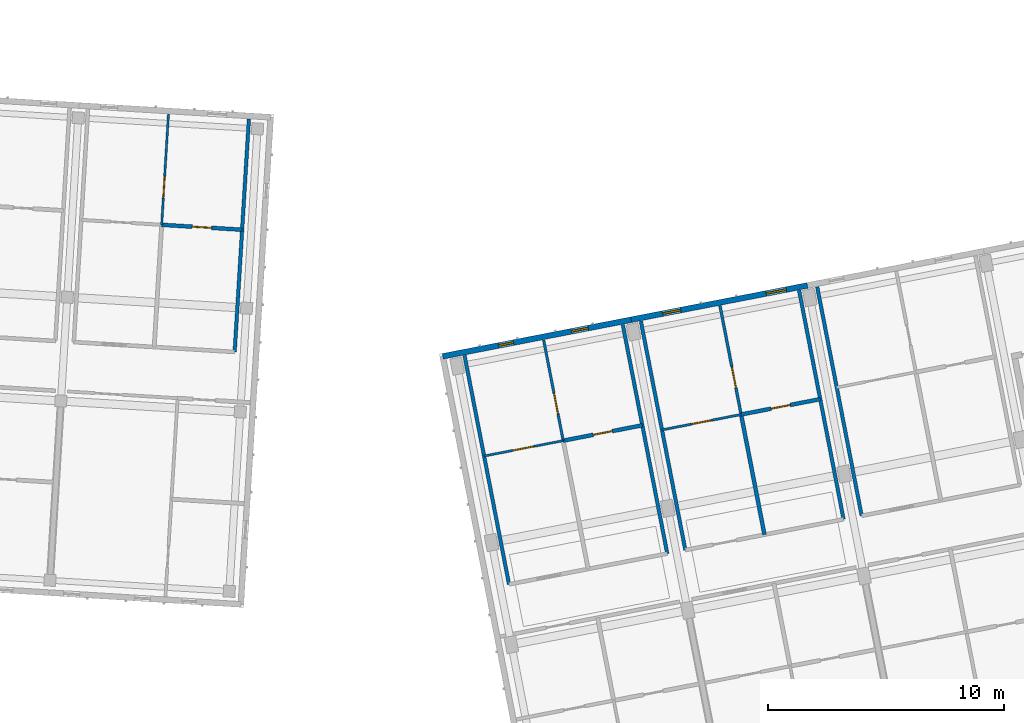
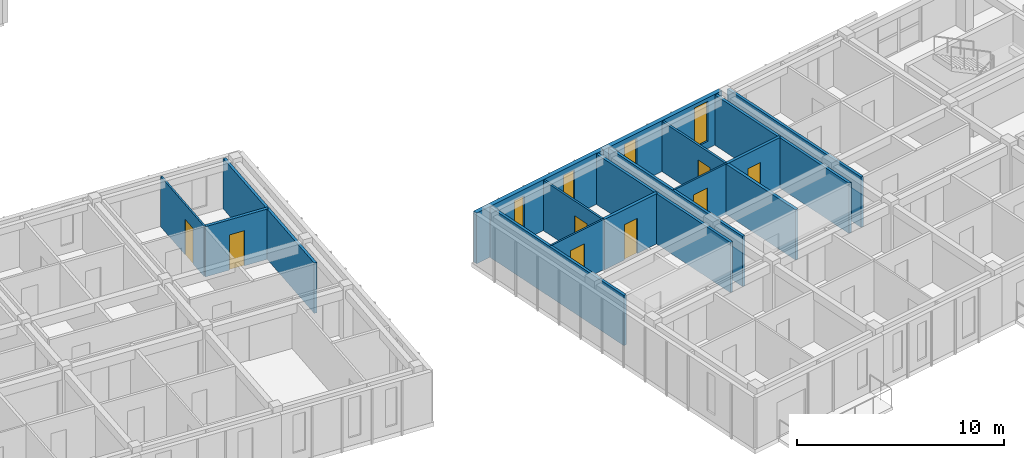
# One storey, part 78 of 127: 17 walls, 8 doors, 4 windows, 12 openings.
"""IFC4 building model written with IfcOpenShell, lengths in metres."""

from ifc_helpers import new_model, si_unit, direction, frame, frame_2d, origin, place, context, subcontext, project, spatial, rectangle, extrude, material, layer, layer_set, type_object, element, fill, save


model = new_model("IFC4")

# Units and contexts
model_context = context("Model", 3, precision=1e-05, world=origin(), true_north=direction((0.0, 1.0)))
body_context = subcontext(model_context, "Body", "Model", "MODEL_VIEW")
ifc_project = project(units=[si_unit("LENGTHUNIT", "METRE"), si_unit("AREAUNIT", "SQUARE_METRE"), si_unit("VOLUMEUNIT", "CUBIC_METRE"), si_unit("PLANEANGLEUNIT", "RADIAN"), si_unit("MASSUNIT", "GRAM", prefix="KILO")], contexts=[model_context])

# Site, building, storey
site_placement = place(None, origin())
site = spatial("IfcSite", under=ifc_project, at=site_placement, CompositionType="ELEMENT")
building_placement = place(site_placement, origin())
building = spatial("IfcBuilding", under=site, at=building_placement, Name="Kestramere Prow Commons", CompositionType="ELEMENT")
storey_placement = place(building_placement, frame((0.0, 0.0, 8.39990234375)))
storey = spatial("IfcBuildingStorey", under=building, at=storey_placement, Name="L02", CompositionType="ELEMENT", Elevation=8.39990234375)

# Wall, openings, windows
ifc_material_1 = material(Name="Fluoropolymer Standing-Seam Zinc-Aluminium Cladding", Category="aluminium")
ifc_layer_1 = layer(ifc_material_1, 0.239990234375)
ifc_layer_set_1 = layer_set([ifc_layer_1], Name="Fluoropolymer Standing-Seam Zinc-Aluminium Cladding")
wall_type_1 = type_object("IfcWallType", Name="EW-SEAM-240", PredefinedType="SOLIDWALL", material=ifc_layer_set_1)
wall_1_placement = place(storey_placement, frame((114.044677734375, 53.655029296875, 0.0), z_axis=(0.0, 0.0, 1.0), x_axis=(0.981627273155, 0.190808533872, 0.0)))
wall_1 = element("IfcWall", 1, at=wall_1_placement, inside=storey, type_object=wall_type_1, Name="Block D L02 North Standing-Seam Wall 1", PredefinedType="SOLIDWALL", context=body_context, shape_type="SweptSolid", body=[
    extrude(rectangle(XDim=8.124755859375, YDim=0.239990234375, at=frame_2d((4.0625, 0.0))), origin(), (0.0, 0.0, 1.0), 3.0),
])
opening_1_placement = place(wall_1_placement, frame((2.410400390625, 0.0, 0.43994140625)))
opening_1 = element("IfcOpeningElement", 2, at=opening_1_placement, cuts=wall_1, Name="Opening WN-04", PredefinedType="OPENING", context=body_context, shape_type="SweptSolid", body=[
    extrude(rectangle(XDim=0.639892578125, YDim=2.179931640625, at=frame_2d((0.31982421875, 1.08984375))), frame((0.0, 0.135009765625, 0.0), z_axis=(0.0, -1.0, 0.0), x_axis=(1.0, 0.0, 0.0)), (0.0, 0.0, 1.0), 0.27001953125),
])
opening_2_placement = place(wall_1_placement, frame((5.550537109375, 0.0, 0.5)))
opening_2 = element("IfcOpeningElement", 3, at=opening_2_placement, cuts=wall_1, Name="Opening WN-08", PredefinedType="OPENING", context=body_context, shape_type="SweptSolid", body=[
    extrude(rectangle(XDim=0.719970703125, YDim=2.159912109375, at=frame_2d((0.35986328125, 1.080078125))), frame((0.0, 0.135009765625, 0.0), z_axis=(0.0, -1.0, 0.0), x_axis=(1.0, 0.0, 0.0)), (0.0, 0.0, 1.0), 0.27001953125),
])
ifc_material_2 = material(Name="Low-E Laminated Double Glazing", Category="glass")
window_type_1 = type_object("IfcWindowType", Name="WN-NAR-640A", PartitioningType="SINGLE_PANEL", PredefinedType="WINDOW", material=ifc_material_2)
window_1_placement = place(opening_1_placement, origin())
window_1 = element("IfcWindow", 4, at=window_1_placement, inside=storey, type_object=window_type_1, Name="WN-D-L02-N-0-0", OverallHeight=2.179931640625, OverallWidth=0.639892578125, PartitioningType="SINGLE_PANEL", PredefinedType="WINDOW", context=body_context, shape_type="SweptSolid", body=[
    extrude(rectangle(XDim=0.639892578125, YDim=2.179931640625, at=frame_2d((0.31982421875, 1.08984375))), frame((0.0, 0.030029296875, 0.0), z_axis=(0.0, -1.0, 0.0), x_axis=(1.0, 0.0, 0.0)), (0.0, 0.0, 1.0), 0.06005859375),
])
fill(opening_1, window_1)
window_type_2 = type_object("IfcWindowType", Name="WN-NAR-720A", PartitioningType="SINGLE_PANEL", PredefinedType="WINDOW", material=ifc_material_2)
window_2_placement = place(opening_2_placement, origin())
window_2 = element("IfcWindow", 5, at=window_2_placement, inside=storey, type_object=window_type_2, Name="WN-D-L02-N-0-1", OverallHeight=2.159912109375, OverallWidth=0.719970703125, PartitioningType="SINGLE_PANEL", PredefinedType="WINDOW", context=body_context, shape_type="SweptSolid", body=[
    extrude(rectangle(XDim=0.719970703125, YDim=2.159912109375, at=frame_2d((0.35986328125, 1.080078125))), frame((0.0, 0.030029296875, 0.0), z_axis=(0.0, -1.0, 0.0), x_axis=(1.0, 0.0, 0.0)), (0.0, 0.0, 1.0), 0.06005859375),
])
fill(opening_2, window_2)

wall_2_placement = place(storey_placement, frame((122.020263671875, 55.205322265625, 0.0), z_axis=(0.0, 0.0, 1.0), x_axis=(0.981626422232, 0.190812911449, 0.0)))
wall_2 = element("IfcWall", 6, at=wall_2_placement, inside=storey, type_object=wall_type_1, Name="Block D L02 North Standing-Seam Wall 2", PredefinedType="SOLIDWALL", context=body_context, shape_type="SweptSolid", body=[
    extrude(rectangle(XDim=7.60009765625, YDim=0.239990234375, at=frame_2d((3.800048828125, 0.0))), origin(), (0.0, 0.0, 1.0), 3.0),
])
opening_3_placement = place(wall_2_placement, frame((1.35400390625, 0.0, 0.5)))
opening_3 = element("IfcOpeningElement", 7, at=opening_3_placement, cuts=wall_2, Name="Opening WN-11", PredefinedType="OPENING", context=body_context, shape_type="SweptSolid", body=[
    extrude(rectangle(XDim=0.780029296875, YDim=2.199951171875, at=frame_2d((0.39013671875, 1.10009765625))), frame((0.0, 0.135009765625, 0.0), z_axis=(0.0, -1.0, 0.0), x_axis=(1.0, 0.0, 0.0)), (0.0, 0.0, 1.0), 0.27001953125),
])
opening_4_placement = place(wall_2_placement, frame((5.82568359375, 0.0, 0.43994140625)))
opening_4 = element("IfcOpeningElement", 8, at=opening_4_placement, cuts=wall_2, Name="Opening WN-15", PredefinedType="OPENING", context=body_context, shape_type="SweptSolid", body=[
    extrude(rectangle(XDim=0.860107421875, YDim=2.360107421875, at=frame_2d((0.43017578125, 1.18017578125))), frame((0.0, 0.135009765625, 0.0), z_axis=(0.0, -1.0, 0.0), x_axis=(1.0, 0.0, 0.0)), (0.0, 0.0, 1.0), 0.27001953125),
])
window_type_3 = type_object("IfcWindowType", Name="WN-NAR-780A", PartitioningType="SINGLE_PANEL", PredefinedType="WINDOW", material=ifc_material_2)
window_3_placement = place(opening_3_placement, origin())
window_3 = element("IfcWindow", 9, at=window_3_placement, inside=storey, type_object=window_type_3, Name="WN-D-L02-N-1-0", OverallHeight=2.199951171875, OverallWidth=0.780029296875, PartitioningType="SINGLE_PANEL", PredefinedType="WINDOW", context=body_context, shape_type="SweptSolid", body=[
    extrude(rectangle(XDim=0.780029296875, YDim=2.199951171875, at=frame_2d((0.39013671875, 1.10009765625))), frame((0.0, 0.030029296875, 0.0), z_axis=(0.0, -1.0, 0.0), x_axis=(1.0, 0.0, 0.0)), (0.0, 0.0, 1.0), 0.06005859375),
])
fill(opening_3, window_3)
window_type_4 = type_object("IfcWindowType", Name="WN-NAR-860A", PartitioningType="DOUBLE_PANEL_VERTICAL", PredefinedType="WINDOW", material=ifc_material_2)
window_4_placement = place(opening_4_placement, origin())
window_4 = element("IfcWindow", 10, at=window_4_placement, inside=storey, type_object=window_type_4, Name="WN-D-L02-N-1-1", OverallHeight=2.360107421875, OverallWidth=0.860107421875, PartitioningType="SINGLE_PANEL", PredefinedType="WINDOW", context=body_context, shape_type="SweptSolid", body=[
    extrude(rectangle(XDim=0.860107421875, YDim=2.360107421875, at=frame_2d((0.43017578125, 1.18017578125))), frame((0.0, 0.030029296875, 0.0), z_axis=(0.0, -1.0, 0.0), x_axis=(1.0, 0.0, 0.0)), (0.0, 0.0, 1.0), 0.06005859375),
])
fill(opening_4, window_4)

# Wall, opening, door
ifc_material_3 = material(Name="Gypsum Acoustic Drywall")
ifc_layer_2 = layer(ifc_material_3, 0.10009765625)
ifc_layer_set_2 = layer_set([ifc_layer_2], Name="Gypsum Acoustic Drywall")
wall_type_2 = type_object("IfcWallType", Name="W-PART-100", PredefinedType="PARTITIONING", material=ifc_layer_set_2)
wall_3_placement = place(storey_placement, frame((123.32373046875, 50.54345703125, 0.0), z_axis=(0.0, 0.0, 1.0), x_axis=(0.981629173664, 0.190798756314, 0.0)))
wall_3 = element("IfcWall", 11, at=wall_3_placement, inside=storey, type_object=wall_type_2, Name="Interior Partition PW-D-L02-MIDN1-1", PredefinedType="PARTITIONING", context=body_context, shape_type="SweptSolid", body=[
    extrude(rectangle(XDim=3.41015625, YDim=0.10009765625, at=frame_2d((1.705078125, 0.0))), origin(), (0.0, 0.0, 1.0), 2.97021484375),
])
opening_5_placement = place(wall_3_placement, frame((1.2548828125, 0.0, 0.0)))
opening_5 = element("IfcOpeningElement", 12, at=opening_5_placement, cuts=wall_3, Name="Opening ID-10", PredefinedType="OPENING", context=body_context, shape_type="SweptSolid", body=[
    extrude(rectangle(XDim=0.8798828125, YDim=2.10009765625, at=frame_2d((0.43994140625, 1.050048828125))), frame((0.0, 0.06494140625, 0.0), z_axis=(0.0, -1.0, 0.0), x_axis=(1.0, 0.0, 0.0)), (0.0, 0.0, 1.0), 0.130126953125),
])
ifc_material_4 = material(Name="Engineered Timber Bedroom Door", Category="wood")
door_type_1 = type_object("IfcDoorType", Name="D-RM-03", OperationType="NOTDEFINED", PredefinedType="DOOR", material=ifc_material_4)
door_1_placement = place(opening_5_placement, origin())
door_1 = element("IfcDoor", 13, at=door_1_placement, inside=storey, type_object=door_type_1, Name="Interior Door DR-D-L02-KL-N1", OperationType="SINGLE_SWING_LEFT", OverallHeight=2.10009765625, OverallWidth=0.8798828125, PredefinedType="DOOR", context=body_context, shape_type="SweptSolid", body=[
    extrude(rectangle(XDim=0.8798828125, YDim=2.10009765625, at=frame_2d((0.43994140625, 1.050048828125))), frame((0.0, 0.02490234375, 0.0), z_axis=(0.0, -1.0, 0.0), x_axis=(1.0, 0.0, 0.0)), (0.0, 0.0, 1.0), 0.050048828125),
])
fill(opening_5, door_1)

ifc_layer_3 = layer(ifc_material_3, 0.110107421875)
ifc_layer_set_3 = layer_set([ifc_layer_3], Name="Gypsum Acoustic Drywall")
wall_type_3 = type_object("IfcWallType", Name="W-PART-110", PredefinedType="PARTITIONING", material=ifc_layer_set_3)
wall_4_placement = place(storey_placement, frame((119.14404296875, 50.087646484375, 0.0), z_axis=(0.0, 0.0, 1.0), x_axis=(-0.190812443151, 0.981626513262, 0.0)))
wall_4 = element("IfcWall", 14, at=wall_4_placement, inside=storey, type_object=wall_type_3, Name="Interior Partition PW-D-L02-LB-N0", PredefinedType="PARTITIONING", context=body_context, shape_type="SweptSolid", body=[
    extrude(rectangle(XDim=4.340087890625, YDim=0.110107421875, at=frame_2d((2.169921875, 0.0))), origin(), (0.0, 0.0, 1.0), 2.97021484375),
])
opening_6_placement = place(wall_4_placement, frame((1.14990234375, 0.0, 0.0)))
opening_6 = element("IfcOpeningElement", 15, at=opening_6_placement, cuts=wall_4, Name="Opening ID-08", PredefinedType="OPENING", context=body_context, shape_type="SweptSolid", body=[
    extrude(rectangle(XDim=0.89990234375, YDim=2.10009765625, at=frame_2d((0.449951171875, 1.050048828125))), frame((0.0, 0.070068359375, 0.0), z_axis=(0.0, -1.0, 0.0), x_axis=(1.0, 0.0, 0.0)), (0.0, 0.0, 1.0), 0.14013671875),
])
ifc_material_5 = material(Name="Engineered Timber Flush Door", Category="wood")
door_type_2 = type_object("IfcDoorType", Name="D-RM-01", OperationType="NOTDEFINED", PredefinedType="DOOR", material=ifc_material_5)
door_2_placement = place(opening_6_placement, origin())
door_2 = element("IfcDoor", 16, at=door_2_placement, inside=storey, type_object=door_type_2, Name="Interior Door DR-D-L02-BED-N0", OperationType="SINGLE_SWING_LEFT", OverallHeight=2.10009765625, OverallWidth=0.89990234375, PredefinedType="DOOR", context=body_context, shape_type="SweptSolid", body=[
    extrude(rectangle(XDim=0.89990234375, YDim=2.10009765625, at=frame_2d((0.449951171875, 1.050048828125))), frame((0.0, 0.02490234375, 0.0), z_axis=(0.0, -1.0, 0.0), x_axis=(1.0, 0.0, 0.0)), (0.0, 0.0, 1.0), 0.050048828125),
])
fill(opening_6, door_2)

ifc_material_6 = material(Name="Lightweight Blockwork and Plaster", Category="masonry")
ifc_layer_4 = layer(ifc_material_6, 0.1201171875)
ifc_layer_set_4 = layer_set([ifc_layer_4], Name="Lightweight Blockwork and Plaster")
wall_type_4 = type_object("IfcWallType", Name="W-PART-120", PredefinedType="PARTITIONING", material=ifc_layer_set_4)
wall_5_placement = place(storey_placement, frame((126.671142578125, 51.194091796875, 0.0), z_axis=(0.0, 0.0, 1.0), x_axis=(-0.190787451574, 0.981631370893, 0.0)))
wall_5 = element("IfcWall", 17, at=wall_5_placement, inside=storey, type_object=wall_type_4, Name="Interior Partition PW-D-L02-LB-N1", PredefinedType="PARTITIONING", context=body_context, shape_type="SweptSolid", body=[
    extrude(rectangle(XDim=4.68994140625, YDim=0.1201171875, at=frame_2d((2.344970703125, 0.0))), origin(), (0.0, 0.0, 1.0), 2.97021484375),
])
opening_7_placement = place(wall_5_placement, frame((1.14990234375, 0.0, 0.0)))
opening_7 = element("IfcOpeningElement", 18, at=opening_7_placement, cuts=wall_5, Name="Opening ID-08", PredefinedType="OPENING", context=body_context, shape_type="SweptSolid", body=[
    extrude(rectangle(XDim=0.89990234375, YDim=2.10009765625, at=frame_2d((0.449951171875, 1.050048828125))), frame((0.0, 0.074951171875, 0.0), z_axis=(0.0, -1.0, 0.0), x_axis=(1.0, 0.0, 0.0)), (0.0, 0.0, 1.0), 0.150146484375),
])
door_3_placement = place(opening_7_placement, origin())
door_3 = element("IfcDoor", 19, at=door_3_placement, inside=storey, type_object=door_type_2, Name="Interior Door DR-D-L02-BED-N1", OperationType="SINGLE_SWING_LEFT", OverallHeight=2.10009765625, OverallWidth=0.89990234375, PredefinedType="DOOR", context=body_context, shape_type="SweptSolid", body=[
    extrude(rectangle(XDim=0.89990234375, YDim=2.10009765625, at=frame_2d((0.449951171875, 1.050048828125))), frame((0.0, 0.02490234375, 0.0), z_axis=(0.0, -1.0, 0.0), x_axis=(1.0, 0.0, 0.0)), (0.0, 0.0, 1.0), 0.050048828125),
])
fill(opening_7, door_3)

# Walls
ifc_material_7 = material(Name="Masonry Compartment Wall", Category="masonry")
ifc_layer_5 = layer(ifc_material_7, 0.14990234375)
ifc_layer_set_5 = layer_set([ifc_layer_5], Name="Masonry Compartment Wall")
wall_type_5 = type_object("IfcWallType", Name="W-PART-150", PredefinedType="PARTITIONING", material=ifc_layer_set_5)
for number, where, z_axis, x_axis, name in (
    (20, (105.243408203125, 53.841064453125, 0.0), (0.0, 0.0, 1.0), (0.061047700465, 0.998134849741, 0.0), "Interior Partition PW-C-L02-NWR-5"),
    (21, (116.851806640625, 44.008544921875, 0.0), (0.0, 0.0, 1.0), (-0.190814044018, 0.981626202078, 0.0), "Interior Partition PW-D-L02-NWL-0"),
):
    element("IfcWall", number, at=place(storey_placement, frame(where, z_axis=z_axis, x_axis=x_axis)), inside=storey, type_object=wall_type_5, Name=name, PredefinedType="PARTITIONING", context=body_context, shape_type="SweptSolid", body=[
        extrude(rectangle(XDim=9.869873046875, YDim=0.14990234375, at=frame_2d((4.93505859375, 0.0))), origin(), (0.0, 0.0, 1.0), 2.97021484375),
    ])
wall_6_placement = place(storey_placement, frame((123.546630859375, 45.309814453125, 0.0), z_axis=(0.0, 0.0, 1.0), x_axis=(-0.190809410863, 0.981627102685, 0.0)))
element("IfcWall", 22, at=wall_6_placement, inside=storey, type_object=wall_type_5, Name="Interior Partition PW-D-L02-NWR-0", PredefinedType="PARTITIONING", context=body_context, shape_type="SweptSolid", body=[
    extrude(rectangle(XDim=9.8701171875, YDim=0.14990234375, at=frame_2d((4.93505859375, 0.0))), origin(), (0.0, 0.0, 1.0), 2.97021484375),
])
wall_7_placement = place(storey_placement, frame((124.312255859375, 45.458740234375, 0.0), z_axis=(0.0, 0.0, 1.0), x_axis=(-0.190814044018, 0.981626202078, 0.0)))
element("IfcWall", 23, at=wall_7_placement, inside=storey, type_object=wall_type_5, Name="Interior Partition PW-D-L02-NWL-1", PredefinedType="PARTITIONING", context=body_context, shape_type="SweptSolid", body=[
    extrude(rectangle(XDim=9.869873046875, YDim=0.14990234375, at=frame_2d((4.93505859375, 0.0))), origin(), (0.0, 0.0, 1.0), 2.97021484375),
])
for number, where, z_axis, x_axis, name in (
    (24, (131.0068359375, 46.760009765625, 0.0), (0.0, 0.0, 1.0), (-0.190809410863, 0.981627102685, 0.0), "Interior Partition PW-D-L02-NWR-1"),
    (25, (131.7724609375, 46.90869140625, 0.0), (0.0, 0.0, 1.0), (-0.1907855758, 0.981631735462, 0.0), "Interior Partition PW-D-L02-NWL-2"),
):
    element("IfcWall", number, at=place(storey_placement, frame(where, z_axis=z_axis, x_axis=x_axis)), inside=storey, type_object=wall_type_5, Name=name, PredefinedType="PARTITIONING", context=body_context, shape_type="SweptSolid", body=[
        extrude(rectangle(XDim=9.8701171875, YDim=0.14990234375, at=frame_2d((4.93505859375, 0.0))), origin(), (0.0, 0.0, 1.0), 2.97021484375),
    ])

# Wall, opening, door
ifc_layer_6 = layer(ifc_material_3, 0.094970703125)
ifc_layer_set_6 = layer_set([ifc_layer_6], Name="Gypsum Acoustic Drywall")
wall_type_6 = type_object("IfcWallType", Name="W-PART-95", PredefinedType="PARTITIONING", material=ifc_layer_set_6)
wall_8_placement = place(storey_placement, frame((102.156005859375, 59.2197265625, 0.0), z_axis=(0.0, 0.0, 1.0), x_axis=(0.061062434628, 0.998133948465, 0.0)))
wall_8 = element("IfcWall", 26, at=wall_8_placement, inside=storey, type_object=wall_type_6, Name="Interior Partition PW-C-L02-LB-N5", PredefinedType="PARTITIONING", context=body_context, shape_type="SweptSolid", body=[
    extrude(rectangle(XDim=4.68994140625, YDim=0.094970703125, at=frame_2d((2.344970703125, 0.0))), origin(), (0.0, 0.0, 1.0), 2.97021484375),
])
opening_8_placement = place(wall_8_placement, frame((1.14990234375, 0.0, 0.0)))
opening_8 = element("IfcOpeningElement", 27, at=opening_8_placement, cuts=wall_8, Name="Opening ID-08", PredefinedType="OPENING", context=body_context, shape_type="SweptSolid", body=[
    extrude(rectangle(XDim=0.89990234375, YDim=2.10009765625, at=frame_2d((0.449951171875, 1.050048828125))), frame((0.0, 0.0625, 0.0), z_axis=(0.0, -1.0, 0.0), x_axis=(1.0, 0.0, 0.0)), (0.0, 0.0, 1.0), 0.125),
])
door_4_placement = place(opening_8_placement, origin())
door_4 = element("IfcDoor", 28, at=door_4_placement, inside=storey, type_object=door_type_2, Name="Interior Door DR-C-L02-BED-N5", OperationType="SINGLE_SWING_LEFT", OverallHeight=2.10009765625, OverallWidth=0.89990234375, PredefinedType="DOOR", context=body_context, shape_type="SweptSolid", body=[
    extrude(rectangle(XDim=0.89990234375, YDim=2.10009765625, at=frame_2d((0.449951171875, 1.050048828125))), frame((0.0, 0.02490234375, 0.0), z_axis=(0.0, -1.0, 0.0), x_axis=(1.0, 0.0, 0.0)), (0.0, 0.0, 1.0), 0.050048828125),
])
fill(opening_8, door_4)

wall_9_placement = place(storey_placement, frame((115.796630859375, 49.436767578125, 0.0), z_axis=(0.0, 0.0, 1.0), x_axis=(0.981615762271, 0.19086774285, 0.0)))
wall_9 = element("IfcWall", 29, at=wall_9_placement, inside=storey, type_object=wall_type_6, Name="Interior Partition PW-D-L02-MIDN1-0", PredefinedType="PARTITIONING", context=body_context, shape_type="SweptSolid", body=[
    extrude(rectangle(XDim=3.41015625, YDim=0.094970703125, at=frame_2d((1.705078125, 0.0))), origin(), (0.0, 0.0, 1.0), 2.97021484375),
])
opening_9_placement = place(wall_9_placement, frame((1.2548828125, 0.0, 0.0)))
opening_9 = element("IfcOpeningElement", 30, at=opening_9_placement, cuts=wall_9, Name="Opening ID-08", PredefinedType="OPENING", context=body_context, shape_type="SweptSolid", body=[
    extrude(rectangle(XDim=0.89990234375, YDim=2.10009765625, at=frame_2d((0.449951171875, 1.050048828125))), frame((0.0, 0.0625, 0.0), z_axis=(0.0, -1.0, 0.0), x_axis=(1.0, 0.0, 0.0)), (0.0, 0.0, 1.0), 0.125),
])
door_5_placement = place(opening_9_placement, origin())
door_5 = element("IfcDoor", 31, at=door_5_placement, inside=storey, type_object=door_type_2, Name="Interior Door DR-D-L02-KL-N0", OperationType="SINGLE_SWING_LEFT", OverallHeight=2.10009765625, OverallWidth=0.89990234375, PredefinedType="DOOR", context=body_context, shape_type="SweptSolid", body=[
    extrude(rectangle(XDim=0.89990234375, YDim=2.10009765625, at=frame_2d((0.449951171875, 1.050048828125))), frame((0.0, 0.02490234375, 0.0), z_axis=(0.0, -1.0, 0.0), x_axis=(1.0, 0.0, 0.0)), (0.0, 0.0, 1.0), 0.050048828125),
])
fill(opening_9, door_5)

ifc_material_8 = material(Name="Waterproof Sanitary Masonry Wall", Category="masonry")
ifc_layer_7 = layer(ifc_material_8, 0.1650390625)
ifc_layer_set_7 = layer_set([ifc_layer_7], Name="Waterproof Sanitary Masonry Wall")
wall_type_7 = type_object("IfcWallType", Name="W-PLUMB-150", PredefinedType="PLUMBINGWALL", material=ifc_layer_set_7)
wall_10_placement = place(storey_placement, frame((102.156005859375, 59.2197265625, 0.0), z_axis=(0.0, 0.0, 1.0), x_axis=(0.998133617109, -0.061067850767, 0.0)))
wall_10 = element("IfcWall", 32, at=wall_10_placement, inside=storey, type_object=wall_type_7, Name="Interior Partition PW-C-L02-MIDN2-5", PredefinedType="PLUMBINGWALL", context=body_context, shape_type="SweptSolid", body=[
    extrude(rectangle(XDim=3.41015625, YDim=0.1650390625, at=frame_2d((1.705078125, 0.0))), origin(), (0.0, 0.0, 1.0), 2.97021484375),
])
opening_10_placement = place(wall_10_placement, frame((1.294921875, 0.0, 0.0)))
opening_10 = element("IfcOpeningElement", 33, at=opening_10_placement, cuts=wall_10, Name="Opening ID-11", PredefinedType="OPENING", context=body_context, shape_type="SweptSolid", body=[
    extrude(rectangle(XDim=0.820068359375, YDim=2.080078125, at=frame_2d((0.41015625, 1.0400390625))), frame((0.0, 0.097412109375, 0.0), z_axis=(0.0, -1.0, 0.0), x_axis=(1.0, 0.0, 0.0)), (0.0, 0.0, 1.0), 0.195068359375),
])
ifc_material_9 = material(Name="Moisture-Resistant Timber Bathroom Door", Category="wood")
door_type_3 = type_object("IfcDoorType", Name="D-BT-01", OperationType="NOTDEFINED", PredefinedType="DOOR", material=ifc_material_9)
door_6_placement = place(opening_10_placement, origin())
door_6 = element("IfcDoor", 34, at=door_6_placement, inside=storey, type_object=door_type_3, Name="Interior Door DR-C-L02-BTH-N5", OperationType="SINGLE_SWING_RIGHT", OverallHeight=2.080078125, OverallWidth=0.820068359375, PredefinedType="DOOR", context=body_context, shape_type="SweptSolid", body=[
    extrude(rectangle(XDim=0.820068359375, YDim=2.080078125, at=frame_2d((0.41015625, 1.0400390625))), frame((0.0, 0.02490234375, 0.0), z_axis=(0.0, -1.0, 0.0), x_axis=(1.0, 0.0, 0.0)), (0.0, 0.0, 1.0), 0.050048828125),
])
fill(opening_10, door_6)

wall_11_placement = place(storey_placement, frame((119.14404296875, 50.087646484375, 0.0), z_axis=(0.0, 0.0, 1.0), x_axis=(0.981629173664, 0.190798756314, 0.0)))
wall_11 = element("IfcWall", 35, at=wall_11_placement, inside=storey, type_object=wall_type_7, Name="Interior Partition PW-D-L02-MIDN2-0", PredefinedType="PLUMBINGWALL", context=body_context, shape_type="SweptSolid", body=[
    extrude(rectangle(XDim=3.41015625, YDim=0.1650390625, at=frame_2d((1.705078125, 0.0))), origin(), (0.0, 0.0, 1.0), 2.97021484375),
])
opening_11_placement = place(wall_11_placement, frame((1.294921875, 0.0, 0.0)))
opening_11 = element("IfcOpeningElement", 36, at=opening_11_placement, cuts=wall_11, Name="Opening ID-11", PredefinedType="OPENING", context=body_context, shape_type="SweptSolid", body=[
    extrude(rectangle(XDim=0.820068359375, YDim=2.080078125, at=frame_2d((0.41015625, 1.0400390625))), frame((0.0, 0.097412109375, 0.0), z_axis=(0.0, -1.0, 0.0), x_axis=(1.0, 0.0, 0.0)), (0.0, 0.0, 1.0), 0.195068359375),
])
door_7_placement = place(opening_11_placement, origin())
door_7 = element("IfcDoor", 37, at=door_7_placement, inside=storey, type_object=door_type_3, Name="Interior Door DR-D-L02-BTH-N0", OperationType="SINGLE_SWING_RIGHT", OverallHeight=2.080078125, OverallWidth=0.820068359375, PredefinedType="DOOR", context=body_context, shape_type="SweptSolid", body=[
    extrude(rectangle(XDim=0.820068359375, YDim=2.080078125, at=frame_2d((0.41015625, 1.0400390625))), frame((0.0, 0.02490234375, 0.0), z_axis=(0.0, -1.0, 0.0), x_axis=(1.0, 0.0, 0.0)), (0.0, 0.0, 1.0), 0.050048828125),
])
fill(opening_11, door_7)

wall_12_placement = place(storey_placement, frame((126.671142578125, 51.194091796875, 0.0), z_axis=(0.0, 0.0, 1.0), x_axis=(0.981629173664, 0.190798756314, 0.0)))
wall_12 = element("IfcWall", 38, at=wall_12_placement, inside=storey, type_object=wall_type_7, Name="Interior Partition PW-D-L02-MIDN2-1", PredefinedType="PLUMBINGWALL", context=body_context, shape_type="SweptSolid", body=[
    extrude(rectangle(XDim=3.41015625, YDim=0.1650390625, at=frame_2d((1.705078125, 0.0))), origin(), (0.0, 0.0, 1.0), 2.97021484375),
])
opening_12_placement = place(wall_12_placement, frame((1.294921875, 0.0, 0.0)))
opening_12 = element("IfcOpeningElement", 39, at=opening_12_placement, cuts=wall_12, Name="Opening ID-11", PredefinedType="OPENING", context=body_context, shape_type="SweptSolid", body=[
    extrude(rectangle(XDim=0.820068359375, YDim=2.080078125, at=frame_2d((0.41015625, 1.0400390625))), frame((0.0, 0.097412109375, 0.0), z_axis=(0.0, -1.0, 0.0), x_axis=(1.0, 0.0, 0.0)), (0.0, 0.0, 1.0), 0.195068359375),
])
door_8_placement = place(opening_12_placement, origin())
door_8 = element("IfcDoor", 40, at=door_8_placement, inside=storey, type_object=door_type_3, Name="Interior Door DR-D-L02-BTH-N1", OperationType="SINGLE_SWING_RIGHT", OverallHeight=2.080078125, OverallWidth=0.820068359375, PredefinedType="DOOR", context=body_context, shape_type="SweptSolid", body=[
    extrude(rectangle(XDim=0.820068359375, YDim=2.080078125, at=frame_2d((0.41015625, 1.0400390625))), frame((0.0, 0.02490234375, 0.0), z_axis=(0.0, -1.0, 0.0), x_axis=(1.0, 0.0, 0.0)), (0.0, 0.0, 1.0), 0.050048828125),
])
fill(opening_12, door_8)

# Wall
wall_13_placement = place(storey_placement, frame((127.65966796875, 46.109375, 0.0), z_axis=(0.0, 0.0, 1.0), x_axis=(-0.190838120755, 0.981621521599, 0.0)))
element("IfcWall", 41, at=wall_13_placement, inside=storey, type_object=wall_type_7, Name="Interior Partition PW-D-L02-KB-N1", PredefinedType="PLUMBINGWALL", context=body_context, shape_type="SweptSolid", body=[
    extrude(rectangle(XDim=5.179931640625, YDim=0.1650390625, at=frame_2d((2.58984375, 0.0))), origin(), (0.0, 0.0, 1.0), 2.97021484375),
])

save(model, "model.ifc")
